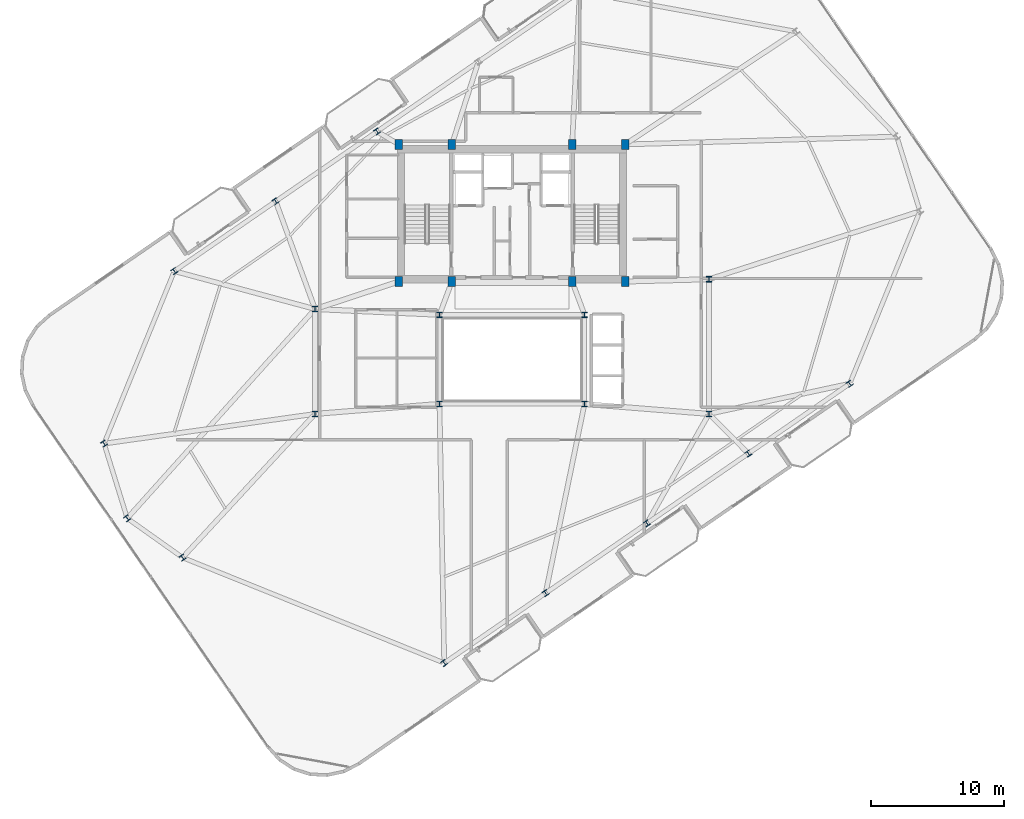
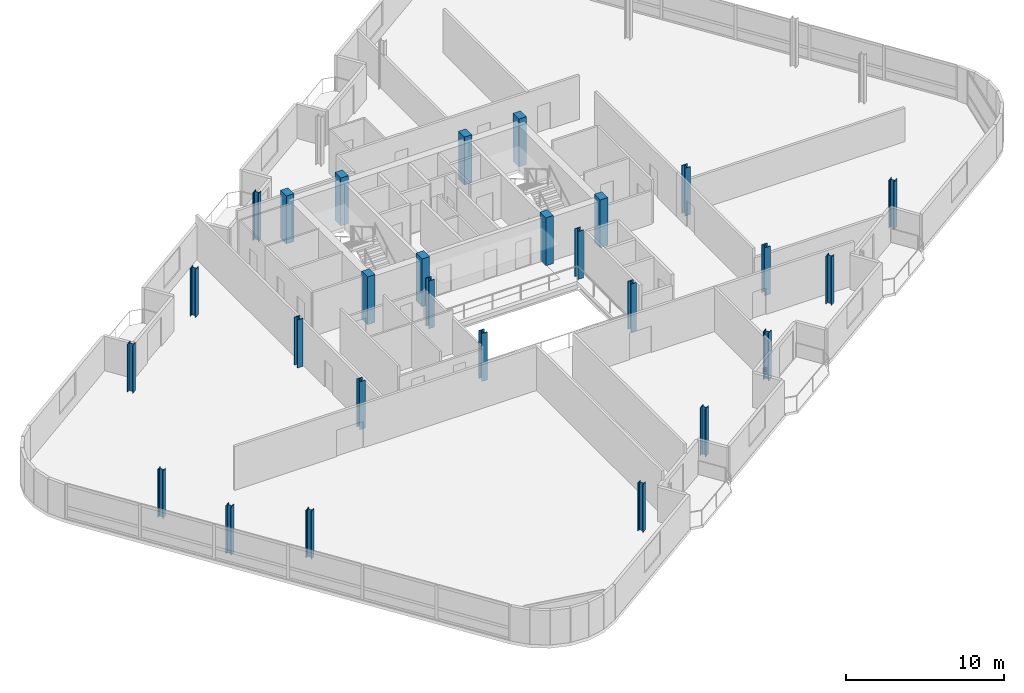
# One storey, part 1 of 23: 27 columns.
"""IFC4 building model written with IfcOpenShell, lengths in metres."""

from ifc_helpers import new_model, si_unit, direction, frame, origin, origin_2d, place, context, subcontext, project, spatial, rectangle, i_section, extrude, material, material_profile, profile_set, type_object, element, save


model = new_model("IFC4")

# Units and contexts
model_context = context("Model", 3, precision=1e-05, world=origin(), true_north=direction((0.0, 1.0)))
body_context = subcontext(model_context, "Body", "Model", "MODEL_VIEW")
ifc_project = project(units=[si_unit("LENGTHUNIT", "METRE"), si_unit("AREAUNIT", "SQUARE_METRE"), si_unit("VOLUMEUNIT", "CUBIC_METRE"), si_unit("PLANEANGLEUNIT", "RADIAN"), si_unit("MASSUNIT", "GRAM", prefix="KILO")], contexts=[model_context])

# Site, building, storey
site_placement = place(None, origin())
site = spatial("IfcSite", under=ifc_project, at=site_placement, CompositionType="ELEMENT")
building_placement = place(site_placement, origin())
building = spatial("IfcBuilding", under=site, at=building_placement, Name="Varnelok Gate Tower", CompositionType="ELEMENT")
storey_placement = place(building_placement, frame((0.0, 0.0, 287.800048828125)))
storey = spatial("IfcBuildingStorey", under=building, at=storey_placement, Name="L74", CompositionType="ELEMENT", Elevation=287.800048828125)

# Columns
ifc_material_1 = material(Name="Concrete C50/60", Category="concrete")
ifc_material_profile_1 = material_profile(ifc_material_1, rectangle(XDim=0.550048828125, YDim=0.75, at=origin_2d()), Name="RC750X550")
ifc_profile_set_1 = profile_set([ifc_material_profile_1], Name="Concrete C50/60")
column_type_1 = type_object("IfcColumnType", Name="COL-RC750X550", PredefinedType="COLUMN", material=ifc_profile_set_1)
for number, where, z_axis, x_axis, name in (
    (1, (30.699951171875, 28.75, 0.0), (0.0, 0.0, 1.0), (1.0, 0.0, 0.0), "L74 Core Spine Column SC1"),
    (2, (34.679931640625, 28.75, 0.0), (0.0, 0.0, 1.0), (1.0, 0.0, 0.0), "L74 Core Spine Column SC2"),
    (3, (43.719970703125, 28.75, 0.0), (0.0, 0.0, 1.0), (1.0, 0.0, 0.0), "L74 Core Spine Column SC3"),
    (4, (47.699951171875, 28.75, 0.0), (0.0, 0.0, 1.0), (1.0, 0.0, 0.0), "L74 Core Spine Column SC4"),
    (5, (30.699951171875, 39.050048828125, 0.0), (0.0, 0.0, 1.0), (1.0, 0.0, 0.0), "L74 Core Spine Column SC5"),
    (6, (34.679931640625, 39.050048828125, 0.0), (0.0, 0.0, 1.0), (1.0, 0.0, 0.0), "L74 Core Spine Column SC6"),
    (7, (43.719970703125, 39.050048828125, 0.0), (0.0, 0.0, 1.0), (1.0, 0.0, 0.0), "L74 Core Spine Column SC7"),
    (8, (47.699951171875, 39.050048828125, 0.0), (0.0, 0.0, 1.0), (1.0, 0.0, 0.0), "L74 Core Spine Column SC8"),
):
    element("IfcColumn", number, at=place(storey_placement, frame(where, z_axis=z_axis, x_axis=x_axis)), inside=storey, type_object=column_type_1, Name=name, PredefinedType="COLUMN", context=body_context, shape_type="SweptSolid", body=[
        extrude(rectangle(XDim=0.550048828125, YDim=0.75, at=origin_2d()), origin(), (0.0, 0.0, 1.0), 3.699951171875),
    ])
ifc_material_2 = material(Name="Structural Steel ASTM A992 Grade 50", Category="steel")
ifc_material_profile_2 = material_profile(ifc_material_2, i_section(OverallWidth=0.40087890625, OverallDepth=0.39892578125, WebThickness=0.02490234375, FlangeThickness=0.03955078125, FilletRadius=0.02197265625, at=origin_2d()), Name="W14X211")
ifc_profile_set_2 = profile_set([ifc_material_profile_2], Name="Structural Steel ASTM A992 Grade 50")
column_type_2 = type_object("IfcColumnType", Name="COL-W14X211", PredefinedType="COLUMN", material=ifc_profile_set_2)
for number, where, z_axis, x_axis, name in (
    (9, (34.107421875, 0.080810546875, 0.0), (0.0, 0.0, 1.0), (0.823532597628, 0.567268949127, 0.0), "L74 B6 Perimeter Column PC01"),
    (10, (41.72509765625, 5.327880859375, 0.0), (0.0, 0.0, 1.0), (0.823532597628, 0.567268949127, 0.0), "L74 B6 Perimeter Column PC02"),
    (11, (49.3427734375, 10.5751953125, 0.0), (0.0, 0.0, 1.0), (0.823532597628, 0.567268949127, 0.0), "L74 B6 Perimeter Column PC03"),
    (12, (56.96044921875, 15.822509765625, 0.0), (0.0, 0.0, 1.0), (0.823532597628, 0.567268949127, 0.0), "L74 B6 Perimeter Column PC04"),
    (13, (64.578125, 21.069580078125, 0.0), (0.0, 0.0, 1.0), (0.823532597628, 0.567268949127, 0.0), "L74 B6 Perimeter Column PC05"),
    (14, (29.05712890625, 40.02490234375, 0.0), (0.0, 0.0, 1.0), (0.823532597628, 0.567268949127, 0.0), "L74 B6 Perimeter Column PC11"),
    (15, (21.439697265625, 34.777587890625, 0.0), (0.0, 0.0, 1.0), (0.823532597628, 0.567268949127, 0.0), "L74 B6 Perimeter Column PC12"),
    (16, (13.822021484375, 29.5302734375, 0.0), (0.0, 0.0, 1.0), (0.823532597628, 0.567268949127, 0.0), "L74 B6 Perimeter Column PC13"),
    (17, (8.543212890625, 16.568603515625, 0.0), (0.0, 0.0, 1.0), (0.823532597628, 0.567268949127, 0.0), "L74 B6 Perimeter Column PC14"),
    (18, (10.284423828125, 10.955810546875, 0.0), (0.0, 0.0, 1.0), (0.823532597628, 0.567268949127, 0.0), "L74 B6 Perimeter Column PC15"),
    (19, (14.44287109375, 8.00390625, 0.0), (0.0, 0.0, 1.0), (0.823532597628, 0.567268949127, 0.0), "L74 B6 Perimeter Column PC16"),
):
    element("IfcColumn", number, at=place(storey_placement, frame(where, z_axis=z_axis, x_axis=x_axis)), inside=storey, type_object=column_type_2, Name=name, PredefinedType="COLUMN", context=body_context, shape_type="SweptSolid", body=[
        extrude(i_section(OverallWidth=0.40087890625, OverallDepth=0.39892578125, WebThickness=0.02490234375, FlangeThickness=0.03955078125, FilletRadius=0.02197265625, at=origin_2d()), origin(), (0.0, 0.0, 1.0), 3.699951171875),
    ])
ifc_material_profile_3 = material_profile(ifc_material_2, i_section(OverallWidth=0.406005859375, OverallDepth=0.416015625, WebThickness=0.02978515625, FlangeThickness=0.048095703125, FilletRadius=0.02490234375, at=origin_2d()), Name="W14X257")
ifc_profile_set_3 = profile_set([ifc_material_profile_3], Name="Structural Steel ASTM A992 Grade 50")
column_type_3 = type_object("IfcColumnType", Name="COL-W14X257", PredefinedType="COLUMN", material=ifc_profile_set_3)
for number, where, z_axis, x_axis, name in (
    (20, (33.75, 19.550048828125, 0.0), (0.0, 0.0, 1.0), (1.0, 0.0, 0.0), "L74 Atrium Spine Column AC1"),
    (21, (44.64990234375, 19.550048828125, 0.0), (0.0, 0.0, 1.0), (1.0, 0.0, 0.0), "L74 Atrium Spine Column AC2"),
    (22, (33.75, 26.25, 0.0), (0.0, 0.0, 1.0), (1.0, 0.0, 0.0), "L74 Atrium Spine Column AC3"),
    (23, (44.64990234375, 26.25, 0.0), (0.0, 0.0, 1.0), (1.0, 0.0, 0.0), "L74 Atrium Spine Column AC4"),
    (24, (24.39990234375, 18.800048828125, 0.0), (0.0, 0.0, 1.0), (1.0, 0.0, 0.0), "L74 Wing Spine Column WS1"),
    (25, (24.39990234375, 26.679931640625, 0.0), (0.0, 0.0, 1.0), (1.0, 0.0, 0.0), "L74 Wing Spine Column WS2"),
    (26, (54.0, 18.800048828125, 0.0), (0.0, 0.0, 1.0), (1.0, 0.0, 0.0), "L74 Wing Spine Column ES1"),
    (27, (54.0, 28.919921875, 0.0), (0.0, 0.0, 1.0), (1.0, 0.0, 0.0), "L74 Wing Spine Column ES2"),
):
    element("IfcColumn", number, at=place(storey_placement, frame(where, z_axis=z_axis, x_axis=x_axis)), inside=storey, type_object=column_type_3, Name=name, PredefinedType="COLUMN", context=body_context, shape_type="SweptSolid", body=[
        extrude(i_section(OverallWidth=0.406005859375, OverallDepth=0.416015625, WebThickness=0.02978515625, FlangeThickness=0.048095703125, FilletRadius=0.02490234375, at=origin_2d()), origin(), (0.0, 0.0, 1.0), 3.699951171875),
    ])

save(model, "model.ifc")
